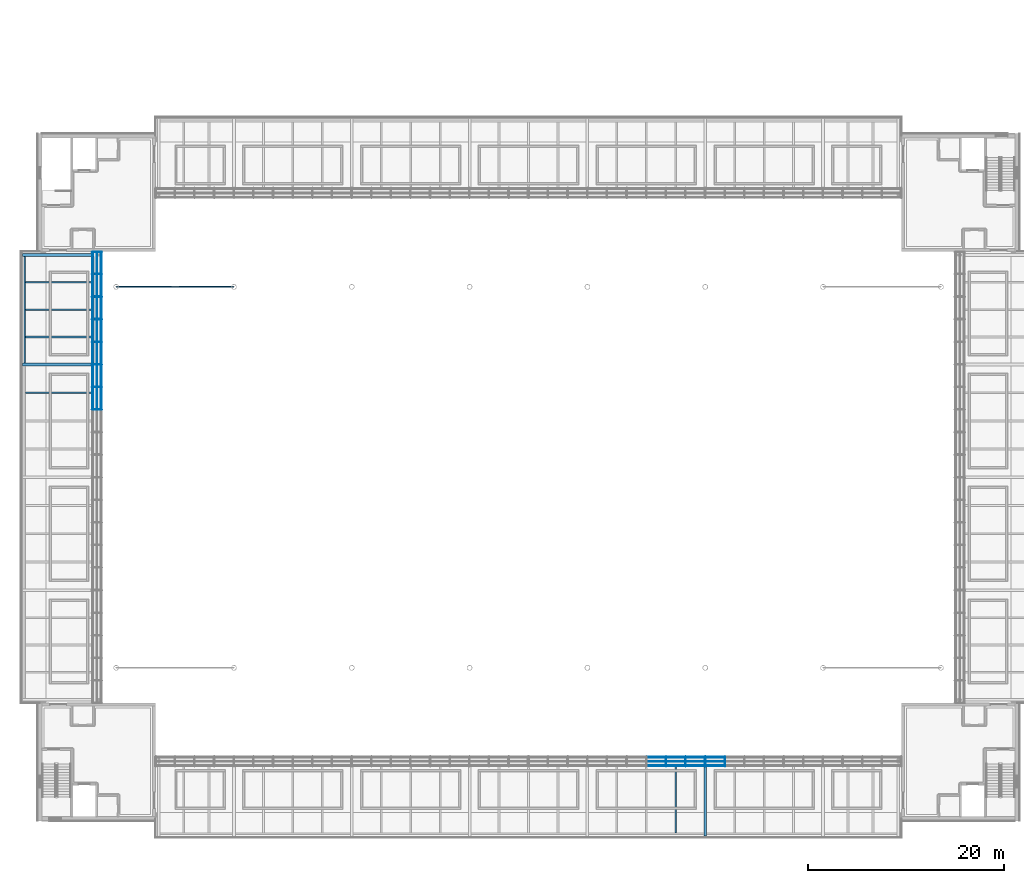
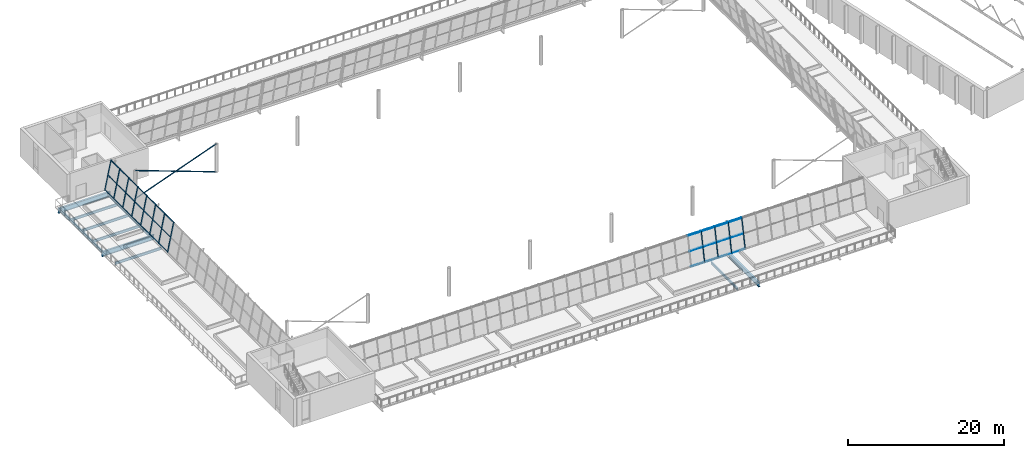
# One storey, part 13 of 58: 48 members, 10 beams, 2 elements without a shape of their own.
"""IFC4 building model written with IfcOpenShell, lengths in metres."""

from ifc_helpers import new_model, si_unit, direction, frame, origin, origin_2d, place, context, subcontext, project, spatial, rectangle, hollow_circle, i_section, extrude, material, layer, layer_set, material_profile, profile_set, type_object, element, aggregate, save


model = new_model("IFC4")

# Units and contexts
model_context = context("Model", 3, precision=1e-05, world=origin(), true_north=direction((0.0, 1.0)))
body_context = subcontext(model_context, "Body", "Model", "MODEL_VIEW")
ifc_project = project(units=[si_unit("LENGTHUNIT", "METRE"), si_unit("AREAUNIT", "SQUARE_METRE"), si_unit("VOLUMEUNIT", "CUBIC_METRE"), si_unit("PLANEANGLEUNIT", "RADIAN"), si_unit("MASSUNIT", "GRAM", prefix="KILO")], contexts=[model_context])

# Site, building, storey
site_placement = place(None, origin())
site = spatial("IfcSite", under=ifc_project, at=site_placement, CompositionType="ELEMENT")
building_placement = place(site_placement, origin())
building = spatial("IfcBuilding", under=site, at=building_placement, Name="Windward Yard Aquatics Centre", CompositionType="ELEMENT")
storey_placement = place(building_placement, frame((0.0, 0.0, 13.800048828125)))
storey = spatial("IfcBuildingStorey", under=building, at=storey_placement, Name="L03", CompositionType="ELEMENT", Elevation=13.800048828125)

# Curtain wall, members
ifc_material_1 = material(Name="Glass and aluminium curtain wall", Category="aluminium")
ifc_layer = layer(ifc_material_1, 0.179931640625)
ifc_layer_set = layer_set([ifc_layer], Name="H curtain wall tier 2 double glazed 6+16+6")
curtain_wall_type = type_object("IfcCurtainWallType", Name="H curtain wall tier 2 double glazed 6+16+6", PredefinedType="NOTDEFINED", material=ifc_layer_set)
curtain_wall_1_placement = place(storey_placement, origin())
curtain_wall_1 = element("IfcCurtainWall", 1, at=curtain_wall_1_placement, inside=storey, type_object=curtain_wall_type, Name="Tier 2 glazing S L03", PredefinedType="NOTDEFINED")
ifc_material_2 = material(Name="Aluminium 6063-T6 anodised", Category="aluminium")
ifc_material_profile_1 = material_profile(ifc_material_2, rectangle(XDim=0.06494140625, YDim=0.179931640625, at=origin_2d()), Name="H CW mullion 65x180")
ifc_profile_set_1 = profile_set([ifc_material_profile_1], Name="Aluminium 6063-T6 anodised")
member_type_1 = type_object("IfcMemberType", Name="H CW mullion 65x180", PredefinedType="MULLION", material=ifc_profile_set_1)
member_1_placement = place(storey_placement, frame((116.003173828125, 31.61376953125, 0.017822265625), z_axis=(0.0, 0.199327811945, 0.979932866775), x_axis=(-1.0, 0.0, 0.0)))
member_1 = element("IfcMember", 2, at=member_1_placement, type_object=member_type_1, Name="G2SB mullion 8", PredefinedType="MULLION", context=body_context, shape_type="SweptSolid", body=[
    extrude(rectangle(XDim=0.06494140625, YDim=0.179931640625, at=origin_2d()), origin(), (0.0, 0.0, 1.0), 4.471923828125),
])
member_2_placement = place(storey_placement, frame((118.0029296875, 31.61376953125, 0.017822265625), z_axis=(0.0, 0.199327811945, 0.979932866775), x_axis=(-1.0, 0.0, 0.0)))
member_2 = element("IfcMember", 3, at=member_2_placement, type_object=member_type_1, Name="G2SB mullion 9", PredefinedType="MULLION", context=body_context, shape_type="SweptSolid", body=[
    extrude(rectangle(XDim=0.06494140625, YDim=0.179931640625, at=origin_2d()), origin(), (0.0, 0.0, 1.0), 4.471923828125),
])
member_3_placement = place(storey_placement, frame((120.002685546875, 31.61376953125, 0.017822265625), z_axis=(0.0, 0.199327811945, 0.979932866775), x_axis=(-1.0, 0.0, 0.0)))
member_3 = element("IfcMember", 4, at=member_3_placement, type_object=member_type_1, Name="G2SB mullion 10", PredefinedType="MULLION", context=body_context, shape_type="SweptSolid", body=[
    extrude(rectangle(XDim=0.06494140625, YDim=0.179931640625, at=origin_2d()), origin(), (0.0, 0.0, 1.0), 4.471923828125),
])
member_4_placement = place(storey_placement, frame((122.00244140625, 31.61376953125, 0.017822265625), z_axis=(0.0, 0.199327811945, 0.979932866775), x_axis=(-1.0, 0.0, 0.0)))
member_4 = element("IfcMember", 5, at=member_4_placement, type_object=member_type_1, Name="G2SB mullion 11", PredefinedType="MULLION", context=body_context, shape_type="SweptSolid", body=[
    extrude(rectangle(XDim=0.06494140625, YDim=0.179931640625, at=origin_2d()), origin(), (0.0, 0.0, 1.0), 4.471923828125),
])

curtain_wall_2_placement = place(storey_placement, origin())
curtain_wall_2 = element("IfcCurtainWall", 6, at=curtain_wall_2_placement, inside=storey, type_object=curtain_wall_type, Name="Tier 2 glazing W L03", PredefinedType="NOTDEFINED")
member_5_placement = place(storey_placement, frame((57.61376953125, 67.89990234375, 0.017822265625), z_axis=(0.199327811945, 0.0, 0.979932866775), x_axis=(0.0, 1.0, 0.0)))
member_5 = element("IfcMember", 7, at=member_5_placement, type_object=member_type_1, Name="G2WA mullion 14", PredefinedType="MULLION", context=body_context, shape_type="SweptSolid", body=[
    extrude(rectangle(XDim=0.06494140625, YDim=0.179931640625, at=origin_2d()), origin(), (0.0, 0.0, 1.0), 4.471923828125),
])
member_6_placement = place(storey_placement, frame((57.61376953125, 70.199951171875, 0.017822265625), z_axis=(0.199327811945, 0.0, 0.979932866775), x_axis=(0.0, 1.0, 0.0)))
member_6 = element("IfcMember", 8, at=member_6_placement, type_object=member_type_1, Name="G2WA mullion 15", PredefinedType="MULLION", context=body_context, shape_type="SweptSolid", body=[
    extrude(rectangle(XDim=0.06494140625, YDim=0.179931640625, at=origin_2d()), origin(), (0.0, 0.0, 1.0), 4.471923828125),
])
member_7_placement = place(storey_placement, frame((57.61376953125, 72.5, 0.017822265625), z_axis=(0.199327811945, 0.0, 0.979932866775), x_axis=(0.0, 1.0, 0.0)))
member_7 = element("IfcMember", 9, at=member_7_placement, type_object=member_type_1, Name="G2WA mullion 16", PredefinedType="MULLION", context=body_context, shape_type="SweptSolid", body=[
    extrude(rectangle(XDim=0.06494140625, YDim=0.179931640625, at=origin_2d()), origin(), (0.0, 0.0, 1.0), 4.471923828125),
])
member_8_placement = place(storey_placement, frame((57.61376953125, 74.800048828125, 0.017822265625), z_axis=(0.199327811945, 0.0, 0.979932866775), x_axis=(0.0, 1.0, 0.0)))
member_8 = element("IfcMember", 10, at=member_8_placement, type_object=member_type_1, Name="G2WA mullion 17", PredefinedType="MULLION", context=body_context, shape_type="SweptSolid", body=[
    extrude(rectangle(XDim=0.06494140625, YDim=0.179931640625, at=origin_2d()), origin(), (0.0, 0.0, 1.0), 4.471923828125),
])
member_9_placement = place(storey_placement, frame((57.61376953125, 77.10009765625, 0.017822265625), z_axis=(0.199327811945, 0.0, 0.979932866775), x_axis=(0.0, 1.0, 0.0)))
member_9 = element("IfcMember", 11, at=member_9_placement, type_object=member_type_1, Name="G2WA mullion 18", PredefinedType="MULLION", context=body_context, shape_type="SweptSolid", body=[
    extrude(rectangle(XDim=0.06494140625, YDim=0.179931640625, at=origin_2d()), origin(), (0.0, 0.0, 1.0), 4.471923828125),
])
member_10_placement = place(storey_placement, frame((57.61376953125, 79.39990234375, 0.017822265625), z_axis=(0.199327811945, 0.0, 0.979932866775), x_axis=(0.0, 1.0, 0.0)))
member_10 = element("IfcMember", 12, at=member_10_placement, type_object=member_type_1, Name="G2WA mullion 19", PredefinedType="MULLION", context=body_context, shape_type="SweptSolid", body=[
    extrude(rectangle(XDim=0.06494140625, YDim=0.179931640625, at=origin_2d()), origin(), (0.0, 0.0, 1.0), 4.471923828125),
])
member_11_placement = place(storey_placement, frame((57.61376953125, 81.699951171875, 0.017822265625), z_axis=(0.199327811945, 0.0, 0.979932866775), x_axis=(0.0, 1.0, 0.0)))
member_11 = element("IfcMember", 13, at=member_11_placement, type_object=member_type_1, Name="G2WA mullion 20", PredefinedType="MULLION", context=body_context, shape_type="SweptSolid", body=[
    extrude(rectangle(XDim=0.06494140625, YDim=0.179931640625, at=origin_2d()), origin(), (0.0, 0.0, 1.0), 4.471923828125),
])
member_12_placement = place(storey_placement, frame((57.61376953125, 83.967529296875, 0.017822265625), z_axis=(0.199327811945, 0.0, 0.979932866775), x_axis=(0.0, 1.0, 0.0)))
member_12 = element("IfcMember", 14, at=member_12_placement, type_object=member_type_1, Name="G2WA mullion 21", PredefinedType="MULLION", context=body_context, shape_type="SweptSolid", body=[
    extrude(rectangle(XDim=0.06494140625, YDim=0.179931640625, at=origin_2d()), origin(), (0.0, 0.0, 1.0), 4.471923828125),
])

# Member
ifc_material_profile_2 = material_profile(ifc_material_2, rectangle(XDim=0.06494140625, YDim=0.10009765625, at=origin_2d()), Name="H CW transom 65x100")
ifc_profile_set_2 = profile_set([ifc_material_profile_2], Name="Aluminium 6063-T6 anodised")
member_type_2 = type_object("IfcMemberType", Name="H CW transom 65x100", PredefinedType="USERDEFINED", material=ifc_profile_set_2)
member_13_placement = place(storey_placement, frame((114.035888671875, 31.621337890625, 0.055419921875), z_axis=(1.0, 0.0, 0.0), x_axis=(0.0, -0.979924704642, 0.199367934315)))
member_13 = element("IfcMember", 15, at=member_13_placement, type_object=member_type_2, Name="G2SB transom 7.1", ObjectType="TRANSOM", PredefinedType="USERDEFINED", context=body_context, shape_type="SweptSolid", body=[
    extrude(rectangle(XDim=0.06494140625, YDim=0.10009765625, at=origin_2d()), origin(), (0.0, 0.0, 1.0), 1.934814453125),
])

member_14_placement = place(storey_placement, frame((114.035888671875, 32.0576171875, 2.199951171875), z_axis=(1.0, 0.0, 0.0), x_axis=(0.0, -0.979924704642, 0.199367934315)))
member_14 = element("IfcMember", 16, at=member_14_placement, type_object=member_type_2, Name="G2SB transom 7.2", ObjectType="TRANSOM", PredefinedType="USERDEFINED", context=body_context, shape_type="SweptSolid", body=[
    extrude(rectangle(XDim=0.06494140625, YDim=0.10009765625, at=origin_2d()), origin(), (0.0, 0.0, 1.0), 1.934814453125),
])

member_15_placement = place(storey_placement, frame((114.035888671875, 32.4951171875, 4.35107421875), z_axis=(1.0, 0.0, 0.0), x_axis=(0.0, -0.979924704642, 0.199367934315)))
member_15 = element("IfcMember", 17, at=member_15_placement, type_object=member_type_2, Name="G2SB transom 7.3", ObjectType="TRANSOM", PredefinedType="USERDEFINED", context=body_context, shape_type="SweptSolid", body=[
    extrude(rectangle(XDim=0.06494140625, YDim=0.10009765625, at=origin_2d()), origin(), (0.0, 0.0, 1.0), 1.934814453125),
])

member_16_placement = place(storey_placement, frame((116.03564453125, 31.621337890625, 0.055419921875), z_axis=(1.0, 0.0, 0.0), x_axis=(0.0, -0.979924704642, 0.199367934315)))
member_16 = element("IfcMember", 18, at=member_16_placement, type_object=member_type_2, Name="G2SB transom 8.1", ObjectType="TRANSOM", PredefinedType="USERDEFINED", context=body_context, shape_type="SweptSolid", body=[
    extrude(rectangle(XDim=0.06494140625, YDim=0.10009765625, at=origin_2d()), origin(), (0.0, 0.0, 1.0), 1.934814453125),
])

member_17_placement = place(storey_placement, frame((116.03564453125, 32.0576171875, 2.199951171875), z_axis=(1.0, 0.0, 0.0), x_axis=(0.0, -0.979924704642, 0.199367934315)))
member_17 = element("IfcMember", 19, at=member_17_placement, type_object=member_type_2, Name="G2SB transom 8.2", ObjectType="TRANSOM", PredefinedType="USERDEFINED", context=body_context, shape_type="SweptSolid", body=[
    extrude(rectangle(XDim=0.06494140625, YDim=0.10009765625, at=origin_2d()), origin(), (0.0, 0.0, 1.0), 1.934814453125),
])

member_18_placement = place(storey_placement, frame((116.03564453125, 32.4951171875, 4.35107421875), z_axis=(1.0, 0.0, 0.0), x_axis=(0.0, -0.979924704642, 0.199367934315)))
member_18 = element("IfcMember", 20, at=member_18_placement, type_object=member_type_2, Name="G2SB transom 8.3", ObjectType="TRANSOM", PredefinedType="USERDEFINED", context=body_context, shape_type="SweptSolid", body=[
    extrude(rectangle(XDim=0.06494140625, YDim=0.10009765625, at=origin_2d()), origin(), (0.0, 0.0, 1.0), 1.934814453125),
])

member_19_placement = place(storey_placement, frame((118.035400390625, 31.621337890625, 0.055419921875), z_axis=(1.0, 0.0, 0.0), x_axis=(0.0, -0.979924704642, 0.199367934315)))
member_19 = element("IfcMember", 21, at=member_19_placement, type_object=member_type_2, Name="G2SB transom 9.1", ObjectType="TRANSOM", PredefinedType="USERDEFINED", context=body_context, shape_type="SweptSolid", body=[
    extrude(rectangle(XDim=0.06494140625, YDim=0.10009765625, at=origin_2d()), origin(), (0.0, 0.0, 1.0), 1.934814453125),
])

member_20_placement = place(storey_placement, frame((118.035400390625, 32.0576171875, 2.199951171875), z_axis=(1.0, 0.0, 0.0), x_axis=(0.0, -0.979924704642, 0.199367934315)))
member_20 = element("IfcMember", 22, at=member_20_placement, type_object=member_type_2, Name="G2SB transom 9.2", ObjectType="TRANSOM", PredefinedType="USERDEFINED", context=body_context, shape_type="SweptSolid", body=[
    extrude(rectangle(XDim=0.06494140625, YDim=0.10009765625, at=origin_2d()), origin(), (0.0, 0.0, 1.0), 1.934814453125),
])

member_21_placement = place(storey_placement, frame((118.035400390625, 32.4951171875, 4.35107421875), z_axis=(1.0, 0.0, 0.0), x_axis=(0.0, -0.979924704642, 0.199367934315)))
member_21 = element("IfcMember", 23, at=member_21_placement, type_object=member_type_2, Name="G2SB transom 9.3", ObjectType="TRANSOM", PredefinedType="USERDEFINED", context=body_context, shape_type="SweptSolid", body=[
    extrude(rectangle(XDim=0.06494140625, YDim=0.10009765625, at=origin_2d()), origin(), (0.0, 0.0, 1.0), 1.934814453125),
])

member_22_placement = place(storey_placement, frame((120.03515625, 31.621337890625, 0.055419921875), z_axis=(1.0, 0.0, 0.0), x_axis=(0.0, -0.979924704642, 0.199367934315)))
member_22 = element("IfcMember", 24, at=member_22_placement, type_object=member_type_2, Name="G2SB transom 10.1", ObjectType="TRANSOM", PredefinedType="USERDEFINED", context=body_context, shape_type="SweptSolid", body=[
    extrude(rectangle(XDim=0.06494140625, YDim=0.10009765625, at=origin_2d()), origin(), (0.0, 0.0, 1.0), 1.934814453125),
])

member_23_placement = place(storey_placement, frame((120.03515625, 32.0576171875, 2.199951171875), z_axis=(1.0, 0.0, 0.0), x_axis=(0.0, -0.979924704642, 0.199367934315)))
member_23 = element("IfcMember", 25, at=member_23_placement, type_object=member_type_2, Name="G2SB transom 10.2", ObjectType="TRANSOM", PredefinedType="USERDEFINED", context=body_context, shape_type="SweptSolid", body=[
    extrude(rectangle(XDim=0.06494140625, YDim=0.10009765625, at=origin_2d()), origin(), (0.0, 0.0, 1.0), 1.934814453125),
])

member_24_placement = place(storey_placement, frame((120.03515625, 32.4951171875, 4.35107421875), z_axis=(1.0, 0.0, 0.0), x_axis=(0.0, -0.979924704642, 0.199367934315)))
member_24 = element("IfcMember", 26, at=member_24_placement, type_object=member_type_2, Name="G2SB transom 10.3", ObjectType="TRANSOM", PredefinedType="USERDEFINED", context=body_context, shape_type="SweptSolid", body=[
    extrude(rectangle(XDim=0.06494140625, YDim=0.10009765625, at=origin_2d()), origin(), (0.0, 0.0, 1.0), 1.934814453125),
])

aggregate(curtain_wall_1, [member_1, member_2, member_3, member_4, member_13, member_14, member_15, member_16, member_17, member_18, member_19, member_20, member_21, member_22, member_23, member_24])

member_25_placement = place(storey_placement, frame((57.621337890625, 67.9326171875, 0.055419921875), z_axis=(0.0, 1.0, 0.0), x_axis=(-0.979924704642, 0.0, 0.199367934315)))
member_25 = element("IfcMember", 27, at=member_25_placement, type_object=member_type_2, Name="G2WA transom 14.1", ObjectType="TRANSOM", PredefinedType="USERDEFINED", context=body_context, shape_type="SweptSolid", body=[
    extrude(rectangle(XDim=0.06494140625, YDim=0.10009765625, at=origin_2d()), origin(), (0.0, 0.0, 1.0), 2.23486328125),
])

member_26_placement = place(storey_placement, frame((58.0576171875, 67.9326171875, 2.199951171875), z_axis=(0.0, 1.0, 0.0), x_axis=(-0.979924704642, 0.0, 0.199367934315)))
member_26 = element("IfcMember", 28, at=member_26_placement, type_object=member_type_2, Name="G2WA transom 14.2", ObjectType="TRANSOM", PredefinedType="USERDEFINED", context=body_context, shape_type="SweptSolid", body=[
    extrude(rectangle(XDim=0.06494140625, YDim=0.10009765625, at=origin_2d()), origin(), (0.0, 0.0, 1.0), 2.23486328125),
])

member_27_placement = place(storey_placement, frame((58.4951171875, 67.9326171875, 4.35107421875), z_axis=(0.0, 1.0, 0.0), x_axis=(-0.979924704642, 0.0, 0.199367934315)))
member_27 = element("IfcMember", 29, at=member_27_placement, type_object=member_type_2, Name="G2WA transom 14.3", ObjectType="TRANSOM", PredefinedType="USERDEFINED", context=body_context, shape_type="SweptSolid", body=[
    extrude(rectangle(XDim=0.06494140625, YDim=0.10009765625, at=origin_2d()), origin(), (0.0, 0.0, 1.0), 2.23486328125),
])

member_28_placement = place(storey_placement, frame((57.621337890625, 70.232421875, 0.055419921875), z_axis=(0.0, 1.0, 0.0), x_axis=(-0.979924704642, 0.0, 0.199367934315)))
member_28 = element("IfcMember", 30, at=member_28_placement, type_object=member_type_2, Name="G2WA transom 15.1", ObjectType="TRANSOM", PredefinedType="USERDEFINED", context=body_context, shape_type="SweptSolid", body=[
    extrude(rectangle(XDim=0.06494140625, YDim=0.10009765625, at=origin_2d()), origin(), (0.0, 0.0, 1.0), 2.235107421875),
])

member_29_placement = place(storey_placement, frame((58.0576171875, 70.232421875, 2.199951171875), z_axis=(0.0, 1.0, 0.0), x_axis=(-0.979924704642, 0.0, 0.199367934315)))
member_29 = element("IfcMember", 31, at=member_29_placement, type_object=member_type_2, Name="G2WA transom 15.2", ObjectType="TRANSOM", PredefinedType="USERDEFINED", context=body_context, shape_type="SweptSolid", body=[
    extrude(rectangle(XDim=0.06494140625, YDim=0.10009765625, at=origin_2d()), origin(), (0.0, 0.0, 1.0), 2.235107421875),
])

member_30_placement = place(storey_placement, frame((58.4951171875, 70.232421875, 4.35107421875), z_axis=(0.0, 1.0, 0.0), x_axis=(-0.979924704642, 0.0, 0.199367934315)))
member_30 = element("IfcMember", 32, at=member_30_placement, type_object=member_type_2, Name="G2WA transom 15.3", ObjectType="TRANSOM", PredefinedType="USERDEFINED", context=body_context, shape_type="SweptSolid", body=[
    extrude(rectangle(XDim=0.06494140625, YDim=0.10009765625, at=origin_2d()), origin(), (0.0, 0.0, 1.0), 2.235107421875),
])

member_31_placement = place(storey_placement, frame((57.621337890625, 72.532470703125, 0.055419921875), z_axis=(0.0, 1.0, 0.0), x_axis=(-0.979924704642, 0.0, 0.199367934315)))
member_31 = element("IfcMember", 33, at=member_31_placement, type_object=member_type_2, Name="G2WA transom 16.1", ObjectType="TRANSOM", PredefinedType="USERDEFINED", context=body_context, shape_type="SweptSolid", body=[
    extrude(rectangle(XDim=0.06494140625, YDim=0.10009765625, at=origin_2d()), origin(), (0.0, 0.0, 1.0), 2.235107421875),
])

member_32_placement = place(storey_placement, frame((58.0576171875, 72.532470703125, 2.199951171875), z_axis=(0.0, 1.0, 0.0), x_axis=(-0.979924704642, 0.0, 0.199367934315)))
member_32 = element("IfcMember", 34, at=member_32_placement, type_object=member_type_2, Name="G2WA transom 16.2", ObjectType="TRANSOM", PredefinedType="USERDEFINED", context=body_context, shape_type="SweptSolid", body=[
    extrude(rectangle(XDim=0.06494140625, YDim=0.10009765625, at=origin_2d()), origin(), (0.0, 0.0, 1.0), 2.235107421875),
])

member_33_placement = place(storey_placement, frame((58.4951171875, 72.532470703125, 4.35107421875), z_axis=(0.0, 1.0, 0.0), x_axis=(-0.979924704642, 0.0, 0.199367934315)))
member_33 = element("IfcMember", 35, at=member_33_placement, type_object=member_type_2, Name="G2WA transom 16.3", ObjectType="TRANSOM", PredefinedType="USERDEFINED", context=body_context, shape_type="SweptSolid", body=[
    extrude(rectangle(XDim=0.06494140625, YDim=0.10009765625, at=origin_2d()), origin(), (0.0, 0.0, 1.0), 2.235107421875),
])

member_34_placement = place(storey_placement, frame((57.621337890625, 74.83251953125, 0.055419921875), z_axis=(0.0, 1.0, 0.0), x_axis=(-0.979924704642, 0.0, 0.199367934315)))
member_34 = element("IfcMember", 36, at=member_34_placement, type_object=member_type_2, Name="G2WA transom 17.1", ObjectType="TRANSOM", PredefinedType="USERDEFINED", context=body_context, shape_type="SweptSolid", body=[
    extrude(rectangle(XDim=0.06494140625, YDim=0.10009765625, at=origin_2d()), origin(), (0.0, 0.0, 1.0), 2.23486328125),
])

member_35_placement = place(storey_placement, frame((58.0576171875, 74.83251953125, 2.199951171875), z_axis=(0.0, 1.0, 0.0), x_axis=(-0.979924704642, 0.0, 0.199367934315)))
member_35 = element("IfcMember", 37, at=member_35_placement, type_object=member_type_2, Name="G2WA transom 17.2", ObjectType="TRANSOM", PredefinedType="USERDEFINED", context=body_context, shape_type="SweptSolid", body=[
    extrude(rectangle(XDim=0.06494140625, YDim=0.10009765625, at=origin_2d()), origin(), (0.0, 0.0, 1.0), 2.23486328125),
])

member_36_placement = place(storey_placement, frame((58.4951171875, 74.83251953125, 4.35107421875), z_axis=(0.0, 1.0, 0.0), x_axis=(-0.979924704642, 0.0, 0.199367934315)))
member_36 = element("IfcMember", 38, at=member_36_placement, type_object=member_type_2, Name="G2WA transom 17.3", ObjectType="TRANSOM", PredefinedType="USERDEFINED", context=body_context, shape_type="SweptSolid", body=[
    extrude(rectangle(XDim=0.06494140625, YDim=0.10009765625, at=origin_2d()), origin(), (0.0, 0.0, 1.0), 2.23486328125),
])

member_37_placement = place(storey_placement, frame((57.621337890625, 77.132568359375, 0.055419921875), z_axis=(0.0, 1.0, 0.0), x_axis=(-0.979924704642, 0.0, 0.199367934315)))
member_37 = element("IfcMember", 39, at=member_37_placement, type_object=member_type_2, Name="G2WA transom 18.1", ObjectType="TRANSOM", PredefinedType="USERDEFINED", context=body_context, shape_type="SweptSolid", body=[
    extrude(rectangle(XDim=0.06494140625, YDim=0.10009765625, at=origin_2d()), origin(), (0.0, 0.0, 1.0), 2.23486328125),
])

member_38_placement = place(storey_placement, frame((58.0576171875, 77.132568359375, 2.199951171875), z_axis=(0.0, 1.0, 0.0), x_axis=(-0.979924704642, 0.0, 0.199367934315)))
member_38 = element("IfcMember", 40, at=member_38_placement, type_object=member_type_2, Name="G2WA transom 18.2", ObjectType="TRANSOM", PredefinedType="USERDEFINED", context=body_context, shape_type="SweptSolid", body=[
    extrude(rectangle(XDim=0.06494140625, YDim=0.10009765625, at=origin_2d()), origin(), (0.0, 0.0, 1.0), 2.23486328125),
])

member_39_placement = place(storey_placement, frame((58.4951171875, 77.132568359375, 4.35107421875), z_axis=(0.0, 1.0, 0.0), x_axis=(-0.979924704642, 0.0, 0.199367934315)))
member_39 = element("IfcMember", 41, at=member_39_placement, type_object=member_type_2, Name="G2WA transom 18.3", ObjectType="TRANSOM", PredefinedType="USERDEFINED", context=body_context, shape_type="SweptSolid", body=[
    extrude(rectangle(XDim=0.06494140625, YDim=0.10009765625, at=origin_2d()), origin(), (0.0, 0.0, 1.0), 2.23486328125),
])

member_40_placement = place(storey_placement, frame((57.621337890625, 79.4326171875, 0.055419921875), z_axis=(0.0, 1.0, 0.0), x_axis=(-0.979924704642, 0.0, 0.199367934315)))
member_40 = element("IfcMember", 42, at=member_40_placement, type_object=member_type_2, Name="G2WA transom 19.1", ObjectType="TRANSOM", PredefinedType="USERDEFINED", context=body_context, shape_type="SweptSolid", body=[
    extrude(rectangle(XDim=0.06494140625, YDim=0.10009765625, at=origin_2d()), origin(), (0.0, 0.0, 1.0), 2.23486328125),
])

member_41_placement = place(storey_placement, frame((58.0576171875, 79.4326171875, 2.199951171875), z_axis=(0.0, 1.0, 0.0), x_axis=(-0.979924704642, 0.0, 0.199367934315)))
member_41 = element("IfcMember", 43, at=member_41_placement, type_object=member_type_2, Name="G2WA transom 19.2", ObjectType="TRANSOM", PredefinedType="USERDEFINED", context=body_context, shape_type="SweptSolid", body=[
    extrude(rectangle(XDim=0.06494140625, YDim=0.10009765625, at=origin_2d()), origin(), (0.0, 0.0, 1.0), 2.23486328125),
])

member_42_placement = place(storey_placement, frame((58.4951171875, 79.4326171875, 4.35107421875), z_axis=(0.0, 1.0, 0.0), x_axis=(-0.979924704642, 0.0, 0.199367934315)))
member_42 = element("IfcMember", 44, at=member_42_placement, type_object=member_type_2, Name="G2WA transom 19.3", ObjectType="TRANSOM", PredefinedType="USERDEFINED", context=body_context, shape_type="SweptSolid", body=[
    extrude(rectangle(XDim=0.06494140625, YDim=0.10009765625, at=origin_2d()), origin(), (0.0, 0.0, 1.0), 2.23486328125),
])

member_43_placement = place(storey_placement, frame((57.621337890625, 81.732421875, 0.055419921875), z_axis=(0.0, 1.0, 0.0), x_axis=(-0.979924704642, 0.0, 0.199367934315)))
member_43 = element("IfcMember", 45, at=member_43_placement, type_object=member_type_2, Name="G2WA transom 20.1", ObjectType="TRANSOM", PredefinedType="USERDEFINED", context=body_context, shape_type="SweptSolid", body=[
    extrude(rectangle(XDim=0.06494140625, YDim=0.10009765625, at=origin_2d()), origin(), (0.0, 0.0, 1.0), 2.20263671875),
])

member_44_placement = place(storey_placement, frame((58.0576171875, 81.732421875, 2.199951171875), z_axis=(0.0, 1.0, 0.0), x_axis=(-0.979924704642, 0.0, 0.199367934315)))
member_44 = element("IfcMember", 46, at=member_44_placement, type_object=member_type_2, Name="G2WA transom 20.2", ObjectType="TRANSOM", PredefinedType="USERDEFINED", context=body_context, shape_type="SweptSolid", body=[
    extrude(rectangle(XDim=0.06494140625, YDim=0.10009765625, at=origin_2d()), origin(), (0.0, 0.0, 1.0), 2.20263671875),
])

member_45_placement = place(storey_placement, frame((58.4951171875, 81.732421875, 4.35107421875), z_axis=(0.0, 1.0, 0.0), x_axis=(-0.979924704642, 0.0, 0.199367934315)))
member_45 = element("IfcMember", 47, at=member_45_placement, type_object=member_type_2, Name="G2WA transom 20.3", ObjectType="TRANSOM", PredefinedType="USERDEFINED", context=body_context, shape_type="SweptSolid", body=[
    extrude(rectangle(XDim=0.06494140625, YDim=0.10009765625, at=origin_2d()), origin(), (0.0, 0.0, 1.0), 2.20263671875),
])

aggregate(curtain_wall_2, [member_5, member_6, member_7, member_8, member_9, member_10, member_11, member_12, member_25, member_26, member_27, member_28, member_29, member_30, member_31, member_32, member_33, member_34, member_35, member_36, member_37, member_38, member_39, member_40, member_41, member_42, member_43, member_44, member_45])

# Members
ifc_material_3 = material(Name="Steel ASTM A500 Gr C", Category="steel")
ifc_material_profile_3 = material_profile(ifc_material_3, hollow_circle(Radius=0.084228515625, WallThickness=0.010986328125, at=origin_2d()), Name="HSS168.3X11")
ifc_profile_set_3 = profile_set([ifc_material_profile_3], Name="Steel ASTM A500 Gr C")
member_type_3 = type_object("IfcMemberType", Name="H column brace HSS168.3X11", PredefinedType="BRACE", material=ifc_profile_set_3)
member_46_placement = place(storey_placement, frame((60.0, 80.39990234375, 0.0), z_axis=(0.938878785405, 0.0, 0.344247914033), x_axis=(0.0, 1.0, 0.0)))
element("IfcMember", 48, at=member_46_placement, inside=storey, type_object=member_type_3, Name="H.VB.N1.L03.A", PredefinedType="BRACE", context=body_context, shape_type="SweptSolid", body=[
    extrude(hollow_circle(Radius=0.084228515625, WallThickness=0.010986328125, at=origin_2d()), origin(), (0.0, 0.0, 1.0), 12.78125),
])
for number, where, z_axis, x_axis, name in (
    (49, (60.0, 80.39990234375, 4.39990234375), (0.938872965334, 0.0, -0.344263786891), (0.0, 1.0, 0.0), "H.VB.N1.L03.B1"),
    (50, (66.103515625, 80.39990234375, 2.162109375), (0.938872965334, 0.0, -0.344263786891), (0.0, 1.0, 0.0), "H.VB.N1.L03.B2"),
):
    element("IfcMember", number, at=place(storey_placement, frame(where, z_axis=z_axis, x_axis=x_axis)), inside=storey, type_object=member_type_3, Name=name, PredefinedType="BRACE", context=body_context, shape_type="SweptSolid", body=[
        extrude(hollow_circle(Radius=0.084228515625, WallThickness=0.010986328125, at=origin_2d()), origin(), (0.0, 0.0, 1.0), 6.2802734375),
    ])

# Beams
ifc_material_4 = material(Name="Steel ASTM A992 Gr 50", Category="steel")
ifc_material_profile_4 = material_profile(ifc_material_4, i_section(OverallWidth=0.177978515625, OverallDepth=0.406005859375, WebThickness=0.0078125, FlangeThickness=0.0126953125, at=origin_2d()), Name="W410X60")
ifc_profile_set_4 = profile_set([ifc_material_profile_4], Name="Steel ASTM A992 Gr 50")
beam_type_1 = type_object("IfcBeamType", Name="H terrace secondary beam W410X60", PredefinedType="BEAM", material=ifc_profile_set_4)
for number, where, z_axis, x_axis, name in (
    (51, (117.0, 24.7880859375, -0.35302734375), (0.0, 1.0, 0.0), (-1.0, 0.0, 0.0), "H.T1S.S5.3"),
    (52, (50.7880859375, 69.625, -0.35302734375), (1.0, 0.0, 0.0), (0.0, 1.0, 0.0), "H.T1S.W3.3"),
):
    element("IfcBeam", number, at=place(storey_placement, frame(where, z_axis=z_axis, x_axis=x_axis)), inside=storey, type_object=beam_type_1, Name=name, PredefinedType="BEAM", context=body_context, shape_type="SweptSolid", body=[
        extrude(i_section(OverallWidth=0.177978515625, OverallDepth=0.406005859375, WebThickness=0.0078125, FlangeThickness=0.0126953125, at=origin_2d()), origin(), (0.0, 0.0, 1.0), 6.83251953125),
    ])
for number, where, z_axis, x_axis, name in (
    (53, (50.698974609375, 72.633544921875, -0.35302734375), (0.0, 1.0, 0.0), (-1.0, 0.0, 0.0), "H.T1E.W4.O"),
    (54, (57.709716796875, 72.633544921875, -0.35302734375), (0.0, 1.0, 0.0), (-1.0, 0.0, 0.0), "H.T1E.W4.I"),
):
    element("IfcBeam", number, at=place(storey_placement, frame(where, z_axis=z_axis, x_axis=x_axis)), inside=storey, type_object=beam_type_1, Name=name, PredefinedType="BEAM", context=body_context, shape_type="SweptSolid", body=[
        extrude(i_section(OverallWidth=0.177978515625, OverallDepth=0.406005859375, WebThickness=0.0078125, FlangeThickness=0.0126953125, at=origin_2d()), origin(), (0.0, 0.0, 1.0), 10.883056640625),
    ])
for number, where, z_axis, x_axis, name in (
    (55, (50.7880859375, 75.28759765625, -0.35302734375), (1.0, 0.0, 0.0), (0.0, 1.0, 0.0), "H.T1S.W4.1"),
    (56, (50.7880859375, 78.074951171875, -0.35302734375), (1.0, 0.0, 0.0), (0.0, 1.0, 0.0), "H.T1S.W4.2"),
    (57, (50.7880859375, 80.862548828125, -0.35302734375), (1.0, 0.0, 0.0), (0.0, 1.0, 0.0), "H.T1S.W4.3"),
):
    element("IfcBeam", number, at=place(storey_placement, frame(where, z_axis=z_axis, x_axis=x_axis)), inside=storey, type_object=beam_type_1, Name=name, PredefinedType="BEAM", context=body_context, shape_type="SweptSolid", body=[
        extrude(i_section(OverallWidth=0.177978515625, OverallDepth=0.406005859375, WebThickness=0.0078125, FlangeThickness=0.0126953125, at=origin_2d()), origin(), (0.0, 0.0, 1.0), 6.83251953125),
    ])
ifc_material_profile_5 = material_profile(ifc_material_4, i_section(OverallWidth=0.26708984375, OverallDepth=0.75390625, WebThickness=0.01318359375, FlangeThickness=0.01708984375, at=origin_2d()), Name="W760X147")
ifc_profile_set_5 = profile_set([ifc_material_profile_5], Name="Steel ASTM A992 Gr 50")
beam_type_2 = type_object("IfcBeamType", Name="H terrace transfer girder W760X147", PredefinedType="BEAM", material=ifc_profile_set_5)
for number, where, z_axis, x_axis, name in (
    (58, (120.0, 24.448974609375, -0.527099609375), (0.0, 1.0, 0.0), (-1.0, 0.0, 0.0), "H.T1B.S6"),
    (59, (50.448974609375, 72.5, -0.527099609375), (1.0, 0.0, 0.0), (0.0, 1.0, 0.0), "H.T1B.W4"),
    (60, (50.448974609375, 83.64990234375, -0.527099609375), (1.0, 0.0, 0.0), (0.0, 1.0, 0.0), "H.T1B.W5"),
):
    element("IfcBeam", number, at=place(storey_placement, frame(where, z_axis=z_axis, x_axis=x_axis)), inside=storey, type_object=beam_type_2, Name=name, PredefinedType="BEAM", context=body_context, shape_type="SweptSolid", body=[
        extrude(i_section(OverallWidth=0.26708984375, OverallDepth=0.75390625, WebThickness=0.01318359375, FlangeThickness=0.01708984375, at=origin_2d()), origin(), (0.0, 0.0, 1.0), 7.766357421875),
    ])

save(model, "model.ifc")
